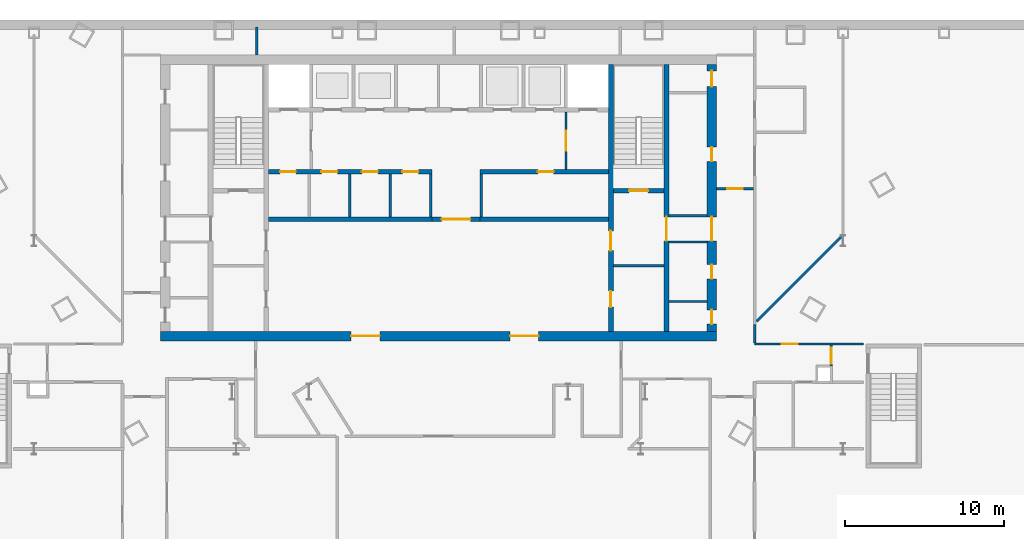
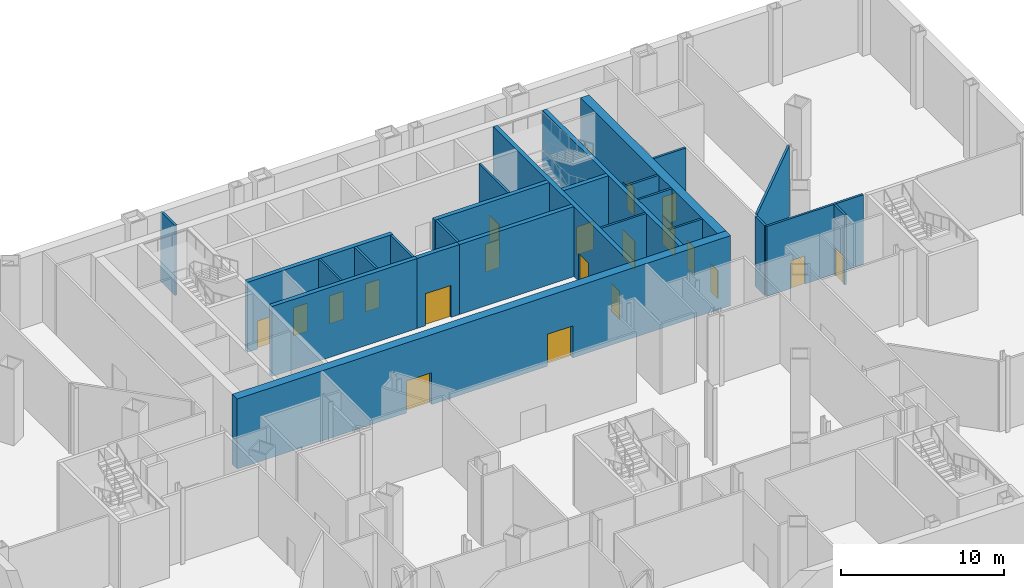
# One storey, part 9 of 18: 25 walls, 21 doors, 21 openings.
"""IFC4 building model written with IfcOpenShell, lengths in metres."""

from ifc_helpers import new_model, si_unit, direction, frame, frame_2d, origin, place, context, subcontext, project, spatial, rectangle, extrude, material, layer, layer_set, type_object, element, fill, save


model = new_model("IFC4")

# Units and contexts
model_context = context("Model", 3, precision=1e-05, world=origin(), true_north=direction((0.0, 1.0)))
body_context = subcontext(model_context, "Body", "Model", "MODEL_VIEW")
ifc_project = project(units=[si_unit("LENGTHUNIT", "METRE"), si_unit("AREAUNIT", "SQUARE_METRE"), si_unit("VOLUMEUNIT", "CUBIC_METRE"), si_unit("PLANEANGLEUNIT", "RADIAN"), si_unit("MASSUNIT", "GRAM", prefix="KILO")], contexts=[model_context])

# Site, building, storey
site_placement = place(None, origin())
site = spatial("IfcSite", under=ifc_project, at=site_placement, CompositionType="ELEMENT")
building_placement = place(site_placement, origin())
building = spatial("IfcBuilding", under=site, at=building_placement, Name="Njiva Tower", CompositionType="ELEMENT")
storey_placement = place(building_placement, frame((0.0, 0.0, -5.7)))
storey = spatial("IfcBuildingStorey", under=building, at=storey_placement, Name="B1", CompositionType="ELEMENT", Elevation=-5.7)

# Walls
ifc_material_1 = material(Name="Blockwork", Category="masonry")
ifc_layer_1 = layer(ifc_material_1, 0.15)
ifc_layer_set_1 = layer_set([ifc_layer_1], Name="Blockwork")
wall_type_1 = type_object("IfcWallType", Name="WT1 Compartment partition 150", PredefinedType="PARTITIONING", material=ifc_layer_set_1)
for number, where, z_axis, x_axis, name in (
    (1, (-5.6, 7.8, 0.0), (0.0, 0.0, 1.0), (0.0, 1.0, 0.0), "Partition CS2"),
    (2, (-3.05, 7.8, 0.0), (0.0, 0.0, 1.0), (0.0, 1.0, 0.0), "Partition CS3"),
    (3, (-0.5, 7.8, 0.0), (0.0, 0.0, 1.0), (0.0, 1.0, 0.0), "Partition CS4"),
    (4, (2.7, 7.8, 0.0), (0.0, 0.0, 1.0), (0.0, 1.0, 0.0), "Partition CS5"),
):
    element("IfcWall", number, at=place(storey_placement, frame(where, z_axis=z_axis, x_axis=x_axis)), inside=storey, type_object=wall_type_1, Name=name, PredefinedType="PARTITIONING", context=body_context, shape_type="SweptSolid", body=[
        extrude(rectangle(XDim=2.7, YDim=0.15, at=frame_2d((1.35, 0.0))), origin(), (0.0, 0.0, 1.0), 5.25),
    ])
wall_1_placement = place(storey_placement, frame((11.0, 4.725, 0.0), z_axis=(0.0, 0.0, 1.0), x_axis=(1.0, 0.0, 0.0)))
element("IfcWall", 5, at=wall_1_placement, inside=storey, type_object=wall_type_1, Name="Room wall B", PredefinedType="PARTITIONING", context=body_context, shape_type="SweptSolid", body=[
    extrude(rectangle(XDim=3.2, YDim=0.15, at=frame_2d((1.6, 0.0))), origin(), (0.0, 0.0, 1.0), 5.25),
])

# Wall, openings, doors
ifc_material_2 = material(Name="Concrete C40/50", Category="concrete")
ifc_layer_2 = layer(ifc_material_2, 0.3)
ifc_layer_set_2 = layer_set([ifc_layer_2], Name="Concrete C40/50")
wall_type_2 = type_object("IfcWallType", Name="WT10 Stair enclosure wall 300", PredefinedType="SHEAR", material=ifc_layer_set_2)
wall_2_placement = place(storey_placement, frame((10.85, 0.6, 0.0), z_axis=(0.0, 0.0, 1.0), x_axis=(0.0, 1.0, 0.0)))
wall_2 = element("IfcWall", 6, at=wall_2_placement, inside=storey, type_object=wall_type_2, Name="Stair wall east inner", PredefinedType="SHEAR", context=body_context, shape_type="SweptSolid", body=[
    extrude(rectangle(XDim=16.8, YDim=0.3, at=frame_2d((8.4, 0.0))), origin(), (0.0, 0.0, 1.0), 5.25),
])
opening_1_placement = place(wall_2_placement, frame((5.075, 0.0, 0.0)))
opening_1 = element("IfcOpeningElement", 7, at=opening_1_placement, cuts=wall_2, Name="Opening B1-D920", PredefinedType="OPENING", context=body_context, shape_type="SweptSolid", body=[
    extrude(rectangle(XDim=1.25, YDim=2.1, at=frame_2d((0.625, 1.05))), frame((0.0, 0.16, 0.0), z_axis=(0.0, -1.0, 0.0), x_axis=(1.0, 0.0, 0.0)), (0.0, 0.0, 1.0), 0.32),
])
opening_2_placement = place(wall_2_placement, frame((1.525, 0.0, 0.0)))
opening_2 = element("IfcOpeningElement", 8, at=opening_2_placement, cuts=wall_2, Name="Opening B1-D921", PredefinedType="OPENING", context=body_context, shape_type="SweptSolid", body=[
    extrude(rectangle(XDim=1.0, YDim=2.1, at=frame_2d((0.5, 1.05))), frame((0.0, 0.16, 0.0), z_axis=(0.0, -1.0, 0.0), x_axis=(1.0, 0.0, 0.0)), (0.0, 0.0, 1.0), 0.32),
])
ifc_material_3 = material(Name="Steel door, painted", Category="steel")
door_type_1 = type_object("IfcDoorType", Name="D5 Steel door 1000x2100", OperationType="SINGLE_SWING_LEFT", PredefinedType="DOOR", material=ifc_material_3)
door_1_placement = place(opening_2_placement, origin())
door_1 = element("IfcDoor", 9, at=door_1_placement, inside=storey, type_object=door_type_1, Name="Plant room door", OperationType="SINGLE_SWING_LEFT", OverallHeight=2.1, OverallWidth=1.0, PredefinedType="DOOR", context=body_context, shape_type="SweptSolid", body=[
    extrude(rectangle(XDim=1.0, YDim=2.1, at=frame_2d((0.5, 1.05))), frame((0.0, 0.025, 0.0), z_axis=(0.0, -1.0, 0.0), x_axis=(1.0, 0.0, 0.0)), (0.0, 0.0, 1.0), 0.05),
])
fill(opening_2, door_1)
ifc_material_4 = material(Name="Glazed steel fire door", Category="steel")
door_type_2 = type_object("IfcDoorType", Name="D8 Vestibule corridor door 1250x2100 glazed", OperationType="SINGLE_SWING_LEFT", PredefinedType="DOOR", material=ifc_material_4)
door_2_placement = place(opening_1_placement, origin())
door_2 = element("IfcDoor", 10, at=door_2_placement, inside=storey, type_object=door_type_2, Name="Stair vestibule corridor door", OperationType="SINGLE_SWING_RIGHT", OverallHeight=2.1, OverallWidth=1.25, PredefinedType="DOOR", context=body_context, shape_type="SweptSolid", body=[
    extrude(rectangle(XDim=1.25, YDim=2.1, at=frame_2d((0.625, 1.05))), frame((0.0, 0.025, 0.0), z_axis=(0.0, -1.0, 0.0), x_axis=(1.0, 0.0, 0.0)), (0.0, 0.0, 1.0), 0.05),
])
fill(opening_1, door_2)

# Wall, opening, door
wall_3_placement = place(storey_placement, frame((14.35, 0.6, 0.0), z_axis=(0.0, 0.0, 1.0), x_axis=(0.0, 1.0, 0.0)))
wall_3 = element("IfcWall", 11, at=wall_3_placement, inside=storey, type_object=wall_type_2, Name="Stair wall east outer", PredefinedType="SHEAR", context=body_context, shape_type="SweptSolid", body=[
    extrude(rectangle(XDim=16.8, YDim=0.3, at=frame_2d((8.4, 0.0))), origin(), (0.0, 0.0, 1.0), 5.25),
])
opening_3_placement = place(wall_3_placement, frame((5.7, 0.0, 0.0)))
opening_3 = element("IfcOpeningElement", 12, at=opening_3_placement, cuts=wall_3, Name="Opening B1-D928", PredefinedType="OPENING", context=body_context, shape_type="SweptSolid", body=[
    extrude(rectangle(XDim=1.5, YDim=2.1, at=frame_2d((0.75, 1.05))), frame((0.0, 0.16, 0.0), z_axis=(0.0, -1.0, 0.0), x_axis=(1.0, 0.0, 0.0)), (0.0, 0.0, 1.0), 0.32),
])
door_type_3 = type_object("IfcDoorType", Name="D10 Exit door double 1500x2100 glazed", OperationType="DOUBLE_DOOR_SINGLE_SWING", PredefinedType="DOOR", material=ifc_material_4)
door_3_placement = place(opening_3_placement, origin())
door_3 = element("IfcDoor", 13, at=door_3_placement, inside=storey, type_object=door_type_3, Name="Stair B passage door", OperationType="DOUBLE_DOOR_SINGLE_SWING", OverallHeight=2.1, OverallWidth=1.5, PredefinedType="DOOR", context=body_context, shape_type="SweptSolid", body=[
    extrude(rectangle(XDim=1.5, YDim=2.1, at=frame_2d((0.75, 1.05))), frame((0.0, 0.025, 0.0), z_axis=(0.0, -1.0, 0.0), x_axis=(1.0, 0.0, 0.0)), (0.0, 0.0, 1.0), 0.05),
])
fill(opening_3, door_3)

wall_4_placement = place(storey_placement, frame((11.0, 9.45, 0.0), z_axis=(0.0, 0.0, 1.0), x_axis=(1.0, 0.0, 0.0)))
wall_4 = element("IfcWall", 14, at=wall_4_placement, inside=storey, type_object=wall_type_2, Name="Stair B south wall", PredefinedType="SHEAR", context=body_context, shape_type="SweptSolid", body=[
    extrude(rectangle(XDim=3.2, YDim=0.3, at=frame_2d((1.6, 0.0))), origin(), (0.0, 0.0, 1.0), 5.25),
])
opening_4_placement = place(wall_4_placement, frame((1.0, 0.0, 0.0)))
opening_4 = element("IfcOpeningElement", 15, at=opening_4_placement, cuts=wall_4, Name="Opening B1-D919", PredefinedType="OPENING", context=body_context, shape_type="SweptSolid", body=[
    extrude(rectangle(XDim=1.2, YDim=2.1, at=frame_2d((0.6, 1.05))), frame((0.0, 0.16, 0.0), z_axis=(0.0, -1.0, 0.0), x_axis=(1.0, 0.0, 0.0)), (0.0, 0.0, 1.0), 0.32),
])
door_type_4 = type_object("IfcDoorType", Name="D7 Stair vestibule door 1200x2100 glazed", OperationType="SINGLE_SWING_LEFT", PredefinedType="DOOR", material=ifc_material_4)
door_4_placement = place(opening_4_placement, origin())
door_4 = element("IfcDoor", 16, at=door_4_placement, inside=storey, type_object=door_type_4, Name="Stair B door", OperationType="SINGLE_SWING_LEFT", OverallHeight=2.1, OverallWidth=1.2, PredefinedType="DOOR", context=body_context, shape_type="SweptSolid", body=[
    extrude(rectangle(XDim=1.2, YDim=2.1, at=frame_2d((0.6, 1.05))), frame((0.0, 0.025, 0.0), z_axis=(0.0, -1.0, 0.0), x_axis=(1.0, 0.0, 0.0)), (0.0, 0.0, 1.0), 0.05),
])
fill(opening_4, door_4)

# Wall, openings, doors
ifc_material_5 = material(Name="Concrete C60/75", Category="concrete")
ifc_layer_3 = layer(ifc_material_5, 0.6)
ifc_layer_set_3 = layer_set([ifc_layer_3], Name="Concrete C60/75")
wall_type_3 = type_object("IfcWallType", Name="WT15 Core wall 600", PredefinedType="SHEAR", material=ifc_layer_set_3)
wall_5_placement = place(storey_placement, frame((-17.5, 0.3, 0.0), z_axis=(0.0, 0.0, 1.0), x_axis=(1.0, 0.0, 0.0)))
wall_5 = element("IfcWall", 17, at=wall_5_placement, inside=storey, type_object=wall_type_3, Name="Core wall south", PredefinedType="SHEAR", context=body_context, shape_type="SweptSolid", body=[
    extrude(rectangle(XDim=35.0, YDim=0.6, at=frame_2d((17.5, 0.0))), origin(), (0.0, 0.0, 1.0), 5.25),
])
opening_5_placement = place(wall_5_placement, frame((12.0, 0.0, 0.0)))
opening_5 = element("IfcOpeningElement", 18, at=opening_5_placement, cuts=wall_5, Name="Opening B1-D935", PredefinedType="OPENING", context=body_context, shape_type="SweptSolid", body=[
    extrude(rectangle(XDim=1.8, YDim=2.4, at=frame_2d((0.9, 1.2))), frame((0.0, 0.31, 0.0), z_axis=(0.0, -1.0, 0.0), x_axis=(1.0, 0.0, 0.0)), (0.0, 0.0, 1.0), 0.62),
])
opening_6_placement = place(wall_5_placement, frame((22.0, 0.0, 0.0)))
opening_6 = element("IfcOpeningElement", 19, at=opening_6_placement, cuts=wall_5, Name="Opening B1-D936", PredefinedType="OPENING", context=body_context, shape_type="SweptSolid", body=[
    extrude(rectangle(XDim=1.8, YDim=2.4, at=frame_2d((0.9, 1.2))), frame((0.0, 0.31, 0.0), z_axis=(0.0, -1.0, 0.0), x_axis=(1.0, 0.0, 0.0)), (0.0, 0.0, 1.0), 0.62),
])
ifc_material_6 = material(Name="Steel and glass door", Category="steel")
door_type_5 = type_object("IfcDoorType", Name="D3 Core entrance door 1800x2400", OperationType="DOUBLE_DOOR_SINGLE_SWING", PredefinedType="DOOR", material=ifc_material_6)
door_5_placement = place(opening_5_placement, origin())
door_5 = element("IfcDoor", 20, at=door_5_placement, inside=storey, type_object=door_type_5, Name="Core entrance door", OperationType="DOUBLE_DOOR_SINGLE_SWING", OverallHeight=2.4, OverallWidth=1.8, PredefinedType="DOOR", context=body_context, shape_type="SweptSolid", body=[
    extrude(rectangle(XDim=1.8, YDim=2.4, at=frame_2d((0.9, 1.2))), frame((0.0, 0.025, 0.0), z_axis=(0.0, -1.0, 0.0), x_axis=(1.0, 0.0, 0.0)), (0.0, 0.0, 1.0), 0.05),
])
fill(opening_5, door_5)
door_6_placement = place(opening_6_placement, origin())
door_6 = element("IfcDoor", 21, at=door_6_placement, inside=storey, type_object=door_type_5, Name="Core entrance door", OperationType="DOUBLE_DOOR_SINGLE_SWING", OverallHeight=2.4, OverallWidth=1.8, PredefinedType="DOOR", context=body_context, shape_type="SweptSolid", body=[
    extrude(rectangle(XDim=1.8, YDim=2.4, at=frame_2d((0.9, 1.2))), frame((0.0, 0.025, 0.0), z_axis=(0.0, -1.0, 0.0), x_axis=(1.0, 0.0, 0.0)), (0.0, 0.0, 1.0), 0.05),
])
fill(opening_6, door_6)

wall_6_placement = place(storey_placement, frame((17.2, 0.6, 0.0), z_axis=(0.0, 0.0, 1.0), x_axis=(0.0, 1.0, 0.0)))
wall_6 = element("IfcWall", 22, at=wall_6_placement, inside=storey, type_object=wall_type_3, Name="Core wall east", PredefinedType="SHEAR", context=body_context, shape_type="SweptSolid", body=[
    extrude(rectangle(XDim=16.8, YDim=0.6, at=frame_2d((8.4, 0.0))), origin(), (0.0, 0.0, 1.0), 5.25),
])
opening_7_placement = place(wall_6_placement, frame((5.7, 0.0, 0.0)))
opening_7 = element("IfcOpeningElement", 23, at=opening_7_placement, cuts=wall_6, Name="Opening B1-D929", PredefinedType="OPENING", context=body_context, shape_type="SweptSolid", body=[
    extrude(rectangle(XDim=1.5, YDim=2.1, at=frame_2d((0.75, 1.05))), frame((0.0, 0.31, 0.0), z_axis=(0.0, -1.0, 0.0), x_axis=(1.0, 0.0, 0.0)), (0.0, 0.0, 1.0), 0.62),
])
opening_8_placement = place(wall_6_placement, frame((0.4522, 0.0, 0.0)))
opening_8 = element("IfcOpeningElement", 24, at=opening_8_placement, cuts=wall_6, Name="Opening B1-D930", PredefinedType="OPENING", context=body_context, shape_type="SweptSolid", body=[
    extrude(rectangle(XDim=0.9, YDim=2.1, at=frame_2d((0.45, 1.05))), frame((0.0, 0.31, 0.0), z_axis=(0.0, -1.0, 0.0), x_axis=(1.0, 0.0, 0.0)), (0.0, 0.0, 1.0), 0.62),
])
opening_9_placement = place(wall_6_placement, frame((3.3022, 0.0, 0.0)))
opening_9 = element("IfcOpeningElement", 25, at=opening_9_placement, cuts=wall_6, Name="Opening B1-D931", PredefinedType="OPENING", context=body_context, shape_type="SweptSolid", body=[
    extrude(rectangle(XDim=0.9, YDim=2.1, at=frame_2d((0.45, 1.05))), frame((0.0, 0.31, 0.0), z_axis=(0.0, -1.0, 0.0), x_axis=(1.0, 0.0, 0.0)), (0.0, 0.0, 1.0), 0.62),
])
opening_10_placement = place(wall_6_placement, frame((10.6967, 0.0, 0.0)))
opening_10 = element("IfcOpeningElement", 26, at=opening_10_placement, cuts=wall_6, Name="Opening B1-D932", PredefinedType="OPENING", context=body_context, shape_type="SweptSolid", body=[
    extrude(rectangle(XDim=0.9, YDim=2.1, at=frame_2d((0.45, 1.05))), frame((0.0, 0.31, 0.0), z_axis=(0.0, -1.0, 0.0), x_axis=(1.0, 0.0, 0.0)), (0.0, 0.0, 1.0), 0.62),
])
opening_11_placement = place(wall_6_placement, frame((15.4, 0.0, 0.0)))
opening_11 = element("IfcOpeningElement", 27, at=opening_11_placement, cuts=wall_6, Name="Opening B1-D933", PredefinedType="OPENING", context=body_context, shape_type="SweptSolid", body=[
    extrude(rectangle(XDim=1.0, YDim=2.1, at=frame_2d((0.5, 1.05))), frame((0.0, 0.31, 0.0), z_axis=(0.0, -1.0, 0.0), x_axis=(1.0, 0.0, 0.0)), (0.0, 0.0, 1.0), 0.62),
])
door_7_placement = place(opening_7_placement, origin())
door_7 = element("IfcDoor", 28, at=door_7_placement, inside=storey, type_object=door_type_3, Name="Stair B corridor door", OperationType="DOUBLE_DOOR_SINGLE_SWING", OverallHeight=2.1, OverallWidth=1.5, PredefinedType="DOOR", context=body_context, shape_type="SweptSolid", body=[
    extrude(rectangle(XDim=1.5, YDim=2.1, at=frame_2d((0.75, 1.05))), frame((0.0, 0.025, 0.0), z_axis=(0.0, -1.0, 0.0), x_axis=(1.0, 0.0, 0.0)), (0.0, 0.0, 1.0), 0.05),
])
fill(opening_7, door_7)
door_type_6 = type_object("IfcDoorType", Name="D4 Riser door 900x2100", OperationType="SINGLE_SWING_LEFT", PredefinedType="DOOR", material=ifc_material_3)
door_8_placement = place(opening_8_placement, origin())
door_8 = element("IfcDoor", 29, at=door_8_placement, inside=storey, type_object=door_type_6, Name="Riser door", OperationType="SINGLE_SWING_LEFT", OverallHeight=2.1, OverallWidth=0.9, PredefinedType="DOOR", context=body_context, shape_type="SweptSolid", body=[
    extrude(rectangle(XDim=0.9, YDim=2.1, at=frame_2d((0.45, 1.05))), frame((0.0, 0.025, 0.0), z_axis=(0.0, -1.0, 0.0), x_axis=(1.0, 0.0, 0.0)), (0.0, 0.0, 1.0), 0.05),
])
fill(opening_8, door_8)
door_9_placement = place(opening_11_placement, origin())
door_9 = element("IfcDoor", 30, at=door_9_placement, inside=storey, type_object=door_type_1, Name="Telecoms room door", OperationType="SINGLE_SWING_LEFT", OverallHeight=2.1, OverallWidth=1.0, PredefinedType="DOOR", context=body_context, shape_type="SweptSolid", body=[
    extrude(rectangle(XDim=1.0, YDim=2.1, at=frame_2d((0.5, 1.05))), frame((0.0, 0.025, 0.0), z_axis=(0.0, -1.0, 0.0), x_axis=(1.0, 0.0, 0.0)), (0.0, 0.0, 1.0), 0.05),
])
fill(opening_11, door_9)
ifc_material_7 = material(Name="Steel fire door, painted", Category="steel")
door_type_7 = type_object("IfcDoorType", Name="D6 Fire-rated door 900x2100", OperationType="SINGLE_SWING_LEFT", PredefinedType="DOOR", material=ifc_material_7)
door_10_placement = place(opening_9_placement, origin())
door_10 = element("IfcDoor", 31, at=door_10_placement, inside=storey, type_object=door_type_7, Name="Quiet room door", OperationType="SINGLE_SWING_RIGHT", OverallHeight=2.1, OverallWidth=0.9, PredefinedType="DOOR", context=body_context, shape_type="SweptSolid", body=[
    extrude(rectangle(XDim=0.9, YDim=2.1, at=frame_2d((0.45, 1.05))), frame((0.0, 0.025, 0.0), z_axis=(0.0, -1.0, 0.0), x_axis=(1.0, 0.0, 0.0)), (0.0, 0.0, 1.0), 0.05),
])
fill(opening_9, door_10)
door_11_placement = place(opening_10_placement, origin())
door_11 = element("IfcDoor", 32, at=door_11_placement, inside=storey, type_object=door_type_7, Name="Prayer room door", OperationType="SINGLE_SWING_LEFT", OverallHeight=2.1, OverallWidth=0.9, PredefinedType="DOOR", context=body_context, shape_type="SweptSolid", body=[
    extrude(rectangle(XDim=0.9, YDim=2.1, at=frame_2d((0.45, 1.05))), frame((0.0, 0.025, 0.0), z_axis=(0.0, -1.0, 0.0), x_axis=(1.0, 0.0, 0.0)), (0.0, 0.0, 1.0), 0.05),
])
fill(opening_10, door_11)

# Wall, opening, door
ifc_layer_4 = layer(ifc_material_1, 0.15)
ifc_layer_set_4 = layer_set([ifc_layer_4], Name="Blockwork")
wall_type_4 = type_object("IfcWallType", Name="WT2 Lobby partition 150", PredefinedType="PARTITIONING", material=ifc_layer_set_4)
wall_7_placement = place(storey_placement, frame((8.025, 10.8, 0.0), z_axis=(0.0, 0.0, 1.0), x_axis=(0.0, 1.0, 0.0)))
wall_7 = element("IfcWall", 33, at=wall_7_placement, inside=storey, type_object=wall_type_4, Name="Firefighting lobby wall B", PredefinedType="PARTITIONING", context=body_context, shape_type="SweptSolid", body=[
    extrude(rectangle(XDim=3.6, YDim=0.15, at=frame_2d((1.8, 0.0))), origin(), (0.0, 0.0, 1.0), 5.25),
])
opening_12_placement = place(wall_7_placement, frame((1.175, 0.0, 0.0)))
opening_12 = element("IfcOpeningElement", 34, at=opening_12_placement, cuts=wall_7, Name="Opening B1-D918", PredefinedType="OPENING", context=body_context, shape_type="SweptSolid", body=[
    extrude(rectangle(XDim=1.25, YDim=2.1, at=frame_2d((0.625, 1.05))), frame((0.0, 0.085, 0.0), z_axis=(0.0, -1.0, 0.0), x_axis=(1.0, 0.0, 0.0)), (0.0, 0.0, 1.0), 0.17),
])
door_12_placement = place(opening_12_placement, origin())
door_12 = element("IfcDoor", 35, at=door_12_placement, inside=storey, type_object=door_type_2, Name="Stair vestibule corridor door", OperationType="SINGLE_SWING_LEFT", OverallHeight=2.1, OverallWidth=1.25, PredefinedType="DOOR", context=body_context, shape_type="SweptSolid", body=[
    extrude(rectangle(XDim=1.25, YDim=2.1, at=frame_2d((0.625, 1.05))), frame((0.0, 0.025, 0.0), z_axis=(0.0, -1.0, 0.0), x_axis=(1.0, 0.0, 0.0)), (0.0, 0.0, 1.0), 0.05),
])
fill(opening_12, door_12)

ifc_material_8 = material(Name="Gypsum board on steel studs", Category="gypsum")
ifc_layer_5 = layer(ifc_material_8, 0.15)
ifc_layer_set_5 = layer_set([ifc_layer_5], Name="Gypsum board on steel studs")
wall_type_5 = type_object("IfcWallType", Name="WT21 Compartment wall 150", PredefinedType="PARTITIONING", material=ifc_layer_set_5)
wall_8_placement = place(storey_placement, frame((17.5, 9.575, 0.0), z_axis=(0.0, 0.0, 1.0), x_axis=(1.0, 0.0, 0.0)))
wall_8 = element("IfcWall", 36, at=wall_8_placement, inside=storey, type_object=wall_type_5, Name="Partition B1-P094", PredefinedType="PARTITIONING", context=body_context, shape_type="SweptSolid", body=[
    extrude(rectangle(XDim=2.325, YDim=0.15, at=frame_2d((1.1625, 0.0))), origin(), (0.0, 0.0, 1.0), 5.25),
])
opening_13_placement = place(wall_8_placement, frame((0.662, 0.0, 0.0)))
opening_13 = element("IfcOpeningElement", 37, at=opening_13_placement, cuts=wall_8, Name="Opening B1-D026", PredefinedType="OPENING", context=body_context, shape_type="SweptSolid", body=[
    extrude(rectangle(XDim=1.0, YDim=2.1, at=frame_2d((0.5, 1.05))), frame((0.0, 0.085, 0.0), z_axis=(0.0, -1.0, 0.0), x_axis=(1.0, 0.0, 0.0)), (0.0, 0.0, 1.0), 0.17),
])
ifc_material_9 = material(Name="Steel fire door set", Category="steel")
door_type_8 = type_object("IfcDoorType", Name="D37 Fire door 1000x2100", OperationType="SINGLE_SWING_LEFT", PredefinedType="DOOR", material=ifc_material_9)
door_13_placement = place(opening_13_placement, origin())
door_13 = element("IfcDoor", 38, at=door_13_placement, inside=storey, type_object=door_type_8, Name="Door B1-D026", OperationType="SINGLE_SWING_LEFT", OverallHeight=2.1, OverallWidth=1.0, PredefinedType="DOOR", context=body_context, shape_type="SweptSolid", body=[
    extrude(rectangle(XDim=1.0, YDim=2.1, at=frame_2d((0.5, 1.05))), frame((0.0, 0.025, 0.0), z_axis=(0.0, -1.0, 0.0), x_axis=(1.0, 0.0, 0.0)), (0.0, 0.0, 1.0), 0.05),
])
fill(opening_13, door_13)

# Wall
wall_9_placement = place(storey_placement, frame((19.9, -0.125, 0.0), z_axis=(0.0, 0.0, 1.0), x_axis=(0.0, 1.0, 0.0)))
element("IfcWall", 39, at=wall_9_placement, inside=storey, type_object=wall_type_5, Name="Partition B1-P104", PredefinedType="PARTITIONING", context=body_context, shape_type="SweptSolid", body=[
    extrude(rectangle(XDim=1.15, YDim=0.15, at=frame_2d((0.575, 0.0))), origin(), (0.0, 0.0, 1.0), 5.25),
])

# Wall, opening, door
wall_10_placement = place(storey_placement, frame((19.902, -0.2, 0.0), z_axis=(0.0, 0.0, 1.0), x_axis=(1.0, 0.0, 0.0)))
wall_10 = element("IfcWall", 40, at=wall_10_placement, inside=storey, type_object=wall_type_5, Name="Partition B1-P107", PredefinedType="PARTITIONING", context=body_context, shape_type="SweptSolid", body=[
    extrude(rectangle(XDim=6.848, YDim=0.15, at=frame_2d((3.424, 0.0))), origin(), (0.0, 0.0, 1.0), 5.25),
])
opening_14_placement = place(wall_10_placement, frame((1.713, 0.0, 0.0)))
opening_14 = element("IfcOpeningElement", 41, at=opening_14_placement, cuts=wall_10, Name="Opening B1-D035", PredefinedType="OPENING", context=body_context, shape_type="SweptSolid", body=[
    extrude(rectangle(XDim=1.0, YDim=2.1, at=frame_2d((0.5, 1.05))), frame((0.0, 0.085, 0.0), z_axis=(0.0, -1.0, 0.0), x_axis=(1.0, 0.0, 0.0)), (0.0, 0.0, 1.0), 0.17),
])
door_14_placement = place(opening_14_placement, origin())
door_14 = element("IfcDoor", 42, at=door_14_placement, inside=storey, type_object=door_type_8, Name="Door B1-D035", OperationType="SINGLE_SWING_RIGHT", OverallHeight=2.1, OverallWidth=1.0, PredefinedType="DOOR", context=body_context, shape_type="SweptSolid", body=[
    extrude(rectangle(XDim=1.0, YDim=2.1, at=frame_2d((0.5, 1.05))), frame((0.0, 0.025, 0.0), z_axis=(0.0, -1.0, 0.0), x_axis=(1.0, 0.0, 0.0)), (0.0, 0.0, 1.0), 0.05),
])
fill(opening_14, door_14)

# Wall
wall_11_placement = place(storey_placement, frame((20.028, 1.228, 0.0), z_axis=(0.0, 0.0, 1.0), x_axis=(0.707106781187, 0.707106781187, 0.0)))
element("IfcWall", 43, at=wall_11_placement, inside=storey, type_object=wall_type_5, Name="Partition B1-P113", PredefinedType="PARTITIONING", context=body_context, shape_type="SweptSolid", body=[
    extrude(rectangle(XDim=7.5858, YDim=0.15, at=frame_2d((3.7929, 0.0))), origin(), (0.0, 0.0, 1.0), 5.25),
])

# Wall, opening, door
wall_12_placement = place(storey_placement, frame((24.725, -1.588, 0.0), z_axis=(0.0, 0.0, 1.0), x_axis=(0.0, 1.0, 0.0)))
wall_12 = element("IfcWall", 44, at=wall_12_placement, inside=storey, type_object=wall_type_5, Name="Partition B1-P121", PredefinedType="PARTITIONING", context=body_context, shape_type="SweptSolid", body=[
    extrude(rectangle(XDim=1.313, YDim=0.15, at=frame_2d((0.6565, 0.0))), origin(), (0.0, 0.0, 1.0), 5.25),
])
opening_15_placement = place(wall_12_placement, frame((0.157, 0.0, 0.0)))
opening_15 = element("IfcOpeningElement", 45, at=opening_15_placement, cuts=wall_12, Name="Opening B1-D037", PredefinedType="OPENING", context=body_context, shape_type="SweptSolid", body=[
    extrude(rectangle(XDim=1.0, YDim=2.1, at=frame_2d((0.5, 1.05))), frame((0.0, 0.085, 0.0), z_axis=(0.0, -1.0, 0.0), x_axis=(1.0, 0.0, 0.0)), (0.0, 0.0, 1.0), 0.17),
])
door_type_9 = type_object("IfcDoorType", Name="D41 Glazed fire door 1000x2100", OperationType="SINGLE_SWING_LEFT", PredefinedType="DOOR", material=ifc_material_4)
door_15_placement = place(opening_15_placement, origin())
door_15 = element("IfcDoor", 46, at=door_15_placement, inside=storey, type_object=door_type_9, Name="Door B1-D037", OperationType="SINGLE_SWING_RIGHT", OverallHeight=2.1, OverallWidth=1.0, PredefinedType="DOOR", context=body_context, shape_type="SweptSolid", body=[
    extrude(rectangle(XDim=1.0, YDim=2.1, at=frame_2d((0.5, 1.05))), frame((0.0, 0.025, 0.0), z_axis=(0.0, -1.0, 0.0), x_axis=(1.0, 0.0, 0.0)), (0.0, 0.0, 1.0), 0.05),
])
fill(opening_15, door_15)

# Walls
ifc_layer_6 = layer(ifc_material_8, 0.15)
ifc_layer_set_6 = layer_set([ifc_layer_6], Name="Gypsum board on steel studs")
wall_type_6 = type_object("IfcWallType", Name="WT24 Riser room wall 150", PredefinedType="PARTITIONING", material=ifc_layer_set_6)
wall_13_placement = place(storey_placement, frame((-11.45, 18.0, 0.0), z_axis=(0.0, 0.0, 1.0), x_axis=(0.0, 1.0, 0.0)))
element("IfcWall", 47, at=wall_13_placement, inside=storey, type_object=wall_type_6, Name="Partition B1-P049", PredefinedType="PARTITIONING", context=body_context, shape_type="SweptSolid", body=[
    extrude(rectangle(XDim=1.75, YDim=0.15, at=frame_2d((0.875, 0.0))), origin(), (0.0, 0.0, 1.0), 5.25),
])
ifc_layer_7 = layer(ifc_material_1, 0.15)
ifc_layer_set_7 = layer_set([ifc_layer_7], Name="Blockwork")
wall_type_7 = type_object("IfcWallType", Name="WT3 Riser partition 150", PredefinedType="PARTITIONING", material=ifc_layer_set_7)
wall_14_placement = place(storey_placement, frame((14.5, 2.4794, 0.0), z_axis=(0.0, 0.0, 1.0), x_axis=(1.0, 0.0, 0.0)))
element("IfcWall", 48, at=wall_14_placement, inside=storey, type_object=wall_type_7, Name="Partition strip E00", PredefinedType="PARTITIONING", context=body_context, shape_type="SweptSolid", body=[
    extrude(rectangle(XDim=2.4, YDim=0.15, at=frame_2d((1.2, 0.0))), origin(), (0.0, 0.0, 1.0), 5.25),
])
ifc_layer_8 = layer(ifc_material_1, 0.15)
ifc_layer_set_8 = layer_set([ifc_layer_8], Name="Blockwork")
wall_type_8 = type_object("IfcWallType", Name="WT4 Stair partition 150", PredefinedType="PARTITIONING", material=ifc_layer_set_8)
for number, where, z_axis, x_axis, name in (
    (49, (14.5, 6.225, 0.0), (0.0, 0.0, 1.0), (1.0, 0.0, 0.0), "Stair B exit passage wall south"),
    (50, (14.5, 7.875, 0.0), (0.0, 0.0, 1.0), (1.0, 0.0, 0.0), "Stair B exit passage wall north"),
):
    element("IfcWall", number, at=place(storey_placement, frame(where, z_axis=z_axis, x_axis=x_axis)), inside=storey, type_object=wall_type_8, Name=name, PredefinedType="PARTITIONING", context=body_context, shape_type="SweptSolid", body=[
        extrude(rectangle(XDim=2.4, YDim=0.15, at=frame_2d((1.2, 0.0))), origin(), (0.0, 0.0, 1.0), 5.25),
    ])

# Wall, opening, door
ifc_layer_9 = layer(ifc_material_1, 0.3)
ifc_layer_set_9 = layer_set([ifc_layer_9], Name="Blockwork")
wall_type_9 = type_object("IfcWallType", Name="WT5 Lobby partition 300", PredefinedType="PARTITIONING", material=ifc_layer_set_9)
wall_15_placement = place(storey_placement, frame((-0.4, 7.65, 0.0), z_axis=(0.0, 0.0, 1.0), x_axis=(1.0, 0.0, 0.0)))
wall_15 = element("IfcWall", 51, at=wall_15_placement, inside=storey, type_object=wall_type_9, Name="Lift lobby screen wall", PredefinedType="PARTITIONING", context=body_context, shape_type="SweptSolid", body=[
    extrude(rectangle(XDim=3.0, YDim=0.3, at=frame_2d((1.5, 0.0))), origin(), (0.0, 0.0, 1.0), 5.25),
])
opening_16_placement = place(wall_15_placement, frame((0.6, 0.0, 0.0)))
opening_16 = element("IfcOpeningElement", 52, at=opening_16_placement, cuts=wall_15, Name="Opening B1-D934", PredefinedType="OPENING", context=body_context, shape_type="SweptSolid", body=[
    extrude(rectangle(XDim=1.8, YDim=2.4, at=frame_2d((0.9, 1.2))), frame((0.0, 0.16, 0.0), z_axis=(0.0, -1.0, 0.0), x_axis=(1.0, 0.0, 0.0)), (0.0, 0.0, 1.0), 0.32),
])
door_16_placement = place(opening_16_placement, origin())
door_16 = element("IfcDoor", 53, at=door_16_placement, inside=storey, type_object=door_type_5, Name="Core entrance door", OperationType="DOUBLE_DOOR_SINGLE_SWING", OverallHeight=2.4, OverallWidth=1.8, PredefinedType="DOOR", context=body_context, shape_type="SweptSolid", body=[
    extrude(rectangle(XDim=1.8, YDim=2.4, at=frame_2d((0.9, 1.2))), frame((0.0, 0.025, 0.0), z_axis=(0.0, -1.0, 0.0), x_axis=(1.0, 0.0, 0.0)), (0.0, 0.0, 1.0), 0.05),
])
fill(opening_16, door_16)

# Wall, openings, doors
ifc_layer_10 = layer(ifc_material_2, 0.3)
ifc_layer_set_10 = layer_set([ifc_layer_10], Name="Concrete C40/50")
wall_type_10 = type_object("IfcWallType", Name="WT7 Lift shaft wall 300", PredefinedType="SHEAR", material=ifc_layer_set_10)
wall_16_placement = place(storey_placement, frame((-10.7, 10.65, 0.0), z_axis=(0.0, 0.0, 1.0), x_axis=(1.0, 0.0, 0.0)))
wall_16 = element("IfcWall", 54, at=wall_16_placement, inside=storey, type_object=wall_type_10, Name="Shaft wall south row lobby side W", PredefinedType="SHEAR", context=body_context, shape_type="SweptSolid", body=[
    extrude(rectangle(XDim=10.3, YDim=0.3, at=frame_2d((5.15, 0.0))), origin(), (0.0, 0.0, 1.0), 5.25),
])
opening_17_placement = place(wall_16_placement, frame((0.725, 0.0, 0.0)))
opening_17 = element("IfcOpeningElement", 55, at=opening_17_placement, cuts=wall_16, Name="Opening B1-D909", PredefinedType="OPENING", context=body_context, shape_type="SweptSolid", body=[
    extrude(rectangle(XDim=1.0, YDim=2.1, at=frame_2d((0.5, 1.05))), frame((0.0, 0.16, 0.0), z_axis=(0.0, -1.0, 0.0), x_axis=(1.0, 0.0, 0.0)), (0.0, 0.0, 1.0), 0.32),
])
opening_18_placement = place(wall_16_placement, frame((3.325, 0.0, 0.0)))
opening_18 = element("IfcOpeningElement", 56, at=opening_18_placement, cuts=wall_16, Name="Opening B1-D910", PredefinedType="OPENING", context=body_context, shape_type="SweptSolid", body=[
    extrude(rectangle(XDim=1.0, YDim=2.1, at=frame_2d((0.5, 1.05))), frame((0.0, 0.16, 0.0), z_axis=(0.0, -1.0, 0.0), x_axis=(1.0, 0.0, 0.0)), (0.0, 0.0, 1.0), 0.32),
])
opening_19_placement = place(wall_16_placement, frame((5.875, 0.0, 0.0)))
opening_19 = element("IfcOpeningElement", 57, at=opening_19_placement, cuts=wall_16, Name="Opening B1-D911", PredefinedType="OPENING", context=body_context, shape_type="SweptSolid", body=[
    extrude(rectangle(XDim=1.0, YDim=2.1, at=frame_2d((0.5, 1.05))), frame((0.0, 0.16, 0.0), z_axis=(0.0, -1.0, 0.0), x_axis=(1.0, 0.0, 0.0)), (0.0, 0.0, 1.0), 0.32),
])
opening_20_placement = place(wall_16_placement, frame((8.425, 0.0, 0.0)))
opening_20 = element("IfcOpeningElement", 58, at=opening_20_placement, cuts=wall_16, Name="Opening B1-D912", PredefinedType="OPENING", context=body_context, shape_type="SweptSolid", body=[
    extrude(rectangle(XDim=1.0, YDim=2.1, at=frame_2d((0.5, 1.05))), frame((0.0, 0.16, 0.0), z_axis=(0.0, -1.0, 0.0), x_axis=(1.0, 0.0, 0.0)), (0.0, 0.0, 1.0), 0.32),
])
door_17_placement = place(opening_17_placement, origin())
door_17 = element("IfcDoor", 59, at=door_17_placement, inside=storey, type_object=door_type_1, Name="Ventilation plant room door", OperationType="SINGLE_SWING_LEFT", OverallHeight=2.1, OverallWidth=1.0, PredefinedType="DOOR", context=body_context, shape_type="SweptSolid", body=[
    extrude(rectangle(XDim=1.0, YDim=2.1, at=frame_2d((0.5, 1.05))), frame((0.0, 0.025, 0.0), z_axis=(0.0, -1.0, 0.0), x_axis=(1.0, 0.0, 0.0)), (0.0, 0.0, 1.0), 0.05),
])
fill(opening_17, door_17)
door_18_placement = place(opening_18_placement, origin())
door_18 = element("IfcDoor", 60, at=door_18_placement, inside=storey, type_object=door_type_1, Name="Cleaner's store door", OperationType="SINGLE_SWING_LEFT", OverallHeight=2.1, OverallWidth=1.0, PredefinedType="DOOR", context=body_context, shape_type="SweptSolid", body=[
    extrude(rectangle(XDim=1.0, YDim=2.1, at=frame_2d((0.5, 1.05))), frame((0.0, 0.025, 0.0), z_axis=(0.0, -1.0, 0.0), x_axis=(1.0, 0.0, 0.0)), (0.0, 0.0, 1.0), 0.05),
])
fill(opening_18, door_18)
door_19_placement = place(opening_19_placement, origin())
door_19 = element("IfcDoor", 61, at=door_19_placement, inside=storey, type_object=door_type_1, Name="Store room door", OperationType="SINGLE_SWING_RIGHT", OverallHeight=2.1, OverallWidth=1.0, PredefinedType="DOOR", context=body_context, shape_type="SweptSolid", body=[
    extrude(rectangle(XDim=1.0, YDim=2.1, at=frame_2d((0.5, 1.05))), frame((0.0, 0.025, 0.0), z_axis=(0.0, -1.0, 0.0), x_axis=(1.0, 0.0, 0.0)), (0.0, 0.0, 1.0), 0.05),
])
fill(opening_19, door_19)
door_20_placement = place(opening_20_placement, origin())
door_20 = element("IfcDoor", 62, at=door_20_placement, inside=storey, type_object=door_type_1, Name="Electrical room door", OperationType="SINGLE_SWING_RIGHT", OverallHeight=2.1, OverallWidth=1.0, PredefinedType="DOOR", context=body_context, shape_type="SweptSolid", body=[
    extrude(rectangle(XDim=1.0, YDim=2.1, at=frame_2d((0.5, 1.05))), frame((0.0, 0.025, 0.0), z_axis=(0.0, -1.0, 0.0), x_axis=(1.0, 0.0, 0.0)), (0.0, 0.0, 1.0), 0.05),
])
fill(opening_20, door_20)

# Wall
wall_17_placement = place(storey_placement, frame((-10.7, 7.65, 0.0), z_axis=(0.0, 0.0, 1.0), x_axis=(1.0, 0.0, 0.0)))
element("IfcWall", 63, at=wall_17_placement, inside=storey, type_object=wall_type_10, Name="Shaft wall south row back W", PredefinedType="SHEAR", context=body_context, shape_type="SweptSolid", body=[
    extrude(rectangle(XDim=10.3, YDim=0.3, at=frame_2d((5.15, 0.0))), origin(), (0.0, 0.0, 1.0), 5.25),
])

# Wall, opening, door
wall_18_placement = place(storey_placement, frame((2.6, 10.65, 0.0), z_axis=(0.0, 0.0, 1.0), x_axis=(1.0, 0.0, 0.0)))
wall_18 = element("IfcWall", 64, at=wall_18_placement, inside=storey, type_object=wall_type_10, Name="Shaft wall south row lobby side E", PredefinedType="SHEAR", context=body_context, shape_type="SweptSolid", body=[
    extrude(rectangle(XDim=8.1, YDim=0.3, at=frame_2d((4.05, 0.0))), origin(), (0.0, 0.0, 1.0), 5.25),
])
opening_21_placement = place(wall_18_placement, frame((3.65, 0.0, 0.0)))
opening_21 = element("IfcOpeningElement", 65, at=opening_21_placement, cuts=wall_18, Name="Opening B1-D913", PredefinedType="OPENING", context=body_context, shape_type="SweptSolid", body=[
    extrude(rectangle(XDim=1.0, YDim=2.1, at=frame_2d((0.5, 1.05))), frame((0.0, 0.16, 0.0), z_axis=(0.0, -1.0, 0.0), x_axis=(1.0, 0.0, 0.0)), (0.0, 0.0, 1.0), 0.32),
])
door_21_placement = place(opening_21_placement, origin())
door_21 = element("IfcDoor", 66, at=door_21_placement, inside=storey, type_object=door_type_1, Name="Telecoms room door", OperationType="SINGLE_SWING_RIGHT", OverallHeight=2.1, OverallWidth=1.0, PredefinedType="DOOR", context=body_context, shape_type="SweptSolid", body=[
    extrude(rectangle(XDim=1.0, YDim=2.1, at=frame_2d((0.5, 1.05))), frame((0.0, 0.025, 0.0), z_axis=(0.0, -1.0, 0.0), x_axis=(1.0, 0.0, 0.0)), (0.0, 0.0, 1.0), 0.05),
])
fill(opening_21, door_21)

# Wall
wall_19_placement = place(storey_placement, frame((2.6, 7.65, 0.0), z_axis=(0.0, 0.0, 1.0), x_axis=(1.0, 0.0, 0.0)))
element("IfcWall", 67, at=wall_19_placement, inside=storey, type_object=wall_type_10, Name="Shaft wall south row back E", PredefinedType="SHEAR", context=body_context, shape_type="SweptSolid", body=[
    extrude(rectangle(XDim=8.1, YDim=0.3, at=frame_2d((4.05, 0.0))), origin(), (0.0, 0.0, 1.0), 5.25),
])

save(model, "model.ifc")
